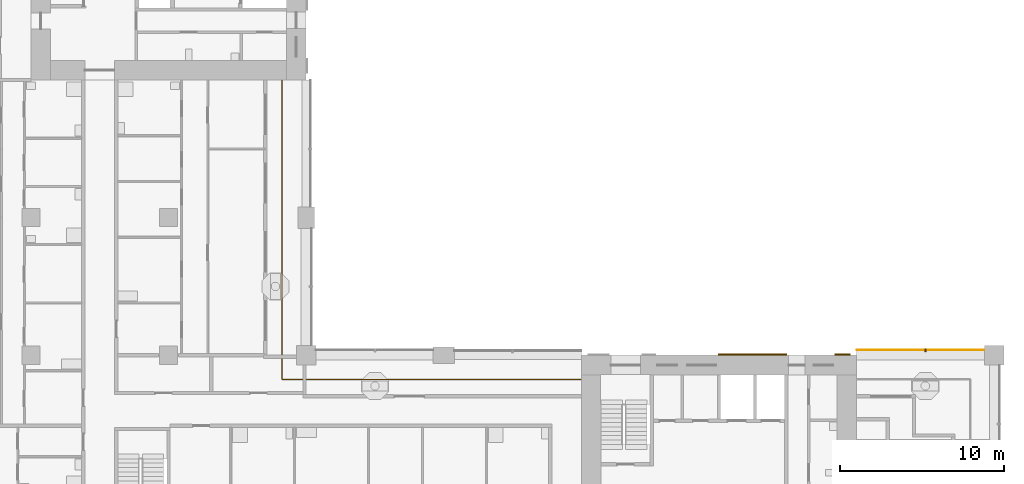
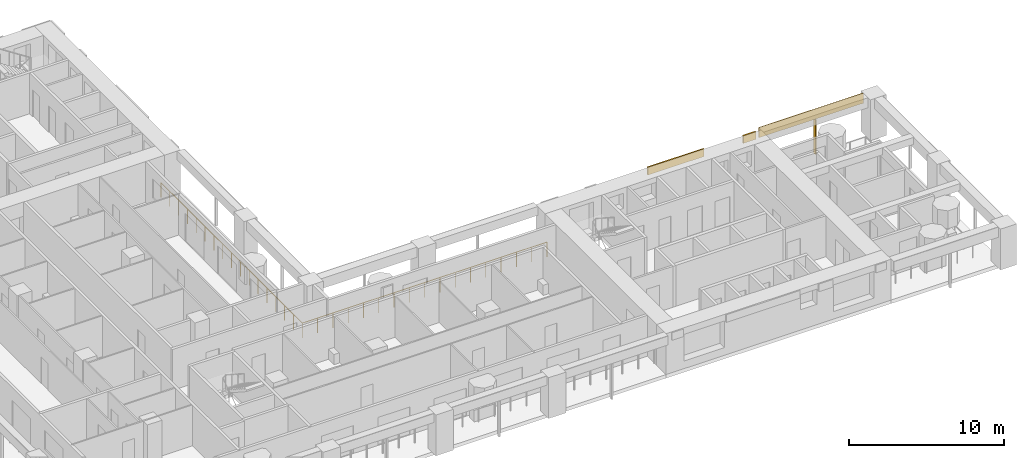
# One storey, part 13 of 18: 4 shading devices, 1 railing.
"""IFC4 building model written with IfcOpenShell, lengths in metres."""

from ifc_helpers import new_model, si_unit, direction, frame, origin, origin_2d, place, context, subcontext, project, spatial, rectangle, circle, extrude, material, layer, layer_set, material_profile, profile_set, type_object, element, save


model = new_model("IFC4")

# Units and contexts
model_context = context("Model", 3, precision=1e-05, world=origin(), true_north=direction((0.0, 1.0)))
body_context = subcontext(model_context, "Body", "Model", "MODEL_VIEW")
ifc_project = project(units=[si_unit("LENGTHUNIT", "METRE"), si_unit("AREAUNIT", "SQUARE_METRE"), si_unit("VOLUMEUNIT", "CUBIC_METRE"), si_unit("PLANEANGLEUNIT", "RADIAN"), si_unit("MASSUNIT", "GRAM", prefix="KILO")], contexts=[model_context])

# Site, building, storey
site_placement = place(None, origin())
site = spatial("IfcSite", under=ifc_project, at=site_placement, CompositionType="ELEMENT")
building_placement = place(site_placement, origin())
building = spatial("IfcBuilding", under=site, at=building_placement, Name="Vermilion Gate Residences", CompositionType="ELEMENT")
storey_placement = place(building_placement, frame((0.0, 0.0, 133.699951171875)))
storey = spatial("IfcBuildingStorey", under=building, at=storey_placement, Name="L34", CompositionType="ELEMENT", Elevation=133.699951171875)

# Railing
ifc_material_1 = material(Name="Stainless steel and toughened glass", Category="steel")
railing_type = type_object("IfcRailingType", Name="LOGGIA GUARD STEEL AND GLASS 1200", PredefinedType="GUARDRAIL", material=ifc_material_1)
railing_placement = place(storey_placement, frame((41.97802734375, 23.72509765625, 0.0)))
element("IfcRailing", 1, at=railing_placement, inside=storey, type_object=railing_type, Name="Loggia guard", PredefinedType="GUARDRAIL", context=body_context, shape_type="SweptSolid", body=[
    extrude(circle(Radius=0.030029296875, at=origin_2d()), frame((0.0, 0.0, 1.169921875), z_axis=(-1.0, 0.0, 0.0), x_axis=(0.0, -1.0, 0.0)), (0.0, 0.0, 1.0), 18.2529296875),
    extrude(circle(Radius=0.030029296875, at=origin_2d()), frame((-18.2529296875, 0.0, 1.169921875), z_axis=(0.0, 1.0, 0.0), x_axis=(-1.0, 0.0, 0.0)), (0.0, 0.0, 1.0), 18.2529296875),
    extrude(circle(Radius=0.02490234375, at=origin_2d()), origin(), (0.0, 0.0, 1.0), 1.139892578125),
    extrude(circle(Radius=0.02490234375, at=origin_2d()), frame((-1.140869140625, 0.0, 0.0)), (0.0, 0.0, 1.0), 1.139892578125),
    extrude(circle(Radius=0.02490234375, at=origin_2d()), frame((-2.28173828125, 0.0, 0.0)), (0.0, 0.0, 1.0), 1.139892578125),
    extrude(circle(Radius=0.02490234375, at=origin_2d()), frame((-3.42236328125, 0.0, 0.0)), (0.0, 0.0, 1.0), 1.139892578125),
    extrude(circle(Radius=0.02490234375, at=origin_2d()), frame((-4.563232421875, 0.0, 0.0)), (0.0, 0.0, 1.0), 1.139892578125),
    extrude(circle(Radius=0.02490234375, at=origin_2d()), frame((-5.7041015625, 0.0, 0.0)), (0.0, 0.0, 1.0), 1.139892578125),
    extrude(circle(Radius=0.02490234375, at=origin_2d()), frame((-6.8447265625, 0.0, 0.0)), (0.0, 0.0, 1.0), 1.139892578125),
    extrude(circle(Radius=0.02490234375, at=origin_2d()), frame((-7.985595703125, 0.0, 0.0)), (0.0, 0.0, 1.0), 1.139892578125),
    extrude(circle(Radius=0.02490234375, at=origin_2d()), frame((-9.12646484375, 0.0, 0.0)), (0.0, 0.0, 1.0), 1.139892578125),
    extrude(circle(Radius=0.02490234375, at=origin_2d()), frame((-10.267333984375, 0.0, 0.0)), (0.0, 0.0, 1.0), 1.139892578125),
    extrude(circle(Radius=0.02490234375, at=origin_2d()), frame((-11.408203125, 0.0, 0.0)), (0.0, 0.0, 1.0), 1.139892578125),
    extrude(circle(Radius=0.02490234375, at=origin_2d()), frame((-12.548828125, 0.0, 0.0)), (0.0, 0.0, 1.0), 1.139892578125),
    extrude(circle(Radius=0.02490234375, at=origin_2d()), frame((-13.689697265625, 0.0, 0.0)), (0.0, 0.0, 1.0), 1.139892578125),
    extrude(circle(Radius=0.02490234375, at=origin_2d()), frame((-14.83056640625, 0.0, 0.0)), (0.0, 0.0, 1.0), 1.139892578125),
    extrude(circle(Radius=0.02490234375, at=origin_2d()), frame((-15.97119140625, 0.0, 0.0)), (0.0, 0.0, 1.0), 1.139892578125),
    extrude(circle(Radius=0.02490234375, at=origin_2d()), frame((-17.112060546875, 0.0, 0.0)), (0.0, 0.0, 1.0), 1.139892578125),
    extrude(circle(Radius=0.02490234375, at=origin_2d()), frame((-18.2529296875, 0.0, 0.0)), (0.0, 0.0, 1.0), 1.139892578125),
    extrude(circle(Radius=0.02490234375, at=origin_2d()), frame((-18.2529296875, 1.140869140625, 0.0)), (0.0, 0.0, 1.0), 1.139892578125),
    extrude(circle(Radius=0.02490234375, at=origin_2d()), frame((-18.2529296875, 2.28173828125, 0.0)), (0.0, 0.0, 1.0), 1.139892578125),
    extrude(circle(Radius=0.02490234375, at=origin_2d()), frame((-18.2529296875, 3.42236328125, 0.0)), (0.0, 0.0, 1.0), 1.139892578125),
    extrude(circle(Radius=0.02490234375, at=origin_2d()), frame((-18.2529296875, 4.563232421875, 0.0)), (0.0, 0.0, 1.0), 1.139892578125),
    extrude(circle(Radius=0.02490234375, at=origin_2d()), frame((-18.2529296875, 5.7041015625, 0.0)), (0.0, 0.0, 1.0), 1.139892578125),
    extrude(circle(Radius=0.02490234375, at=origin_2d()), frame((-18.2529296875, 6.8447265625, 0.0)), (0.0, 0.0, 1.0), 1.139892578125),
    extrude(circle(Radius=0.02490234375, at=origin_2d()), frame((-18.2529296875, 7.985595703125, 0.0)), (0.0, 0.0, 1.0), 1.139892578125),
    extrude(circle(Radius=0.02490234375, at=origin_2d()), frame((-18.2529296875, 9.12646484375, 0.0)), (0.0, 0.0, 1.0), 1.139892578125),
    extrude(circle(Radius=0.02490234375, at=origin_2d()), frame((-18.2529296875, 10.267333984375, 0.0)), (0.0, 0.0, 1.0), 1.139892578125),
    extrude(circle(Radius=0.02490234375, at=origin_2d()), frame((-18.2529296875, 11.408203125, 0.0)), (0.0, 0.0, 1.0), 1.139892578125),
    extrude(circle(Radius=0.02490234375, at=origin_2d()), frame((-18.2529296875, 12.548828125, 0.0)), (0.0, 0.0, 1.0), 1.139892578125),
    extrude(circle(Radius=0.02490234375, at=origin_2d()), frame((-18.2529296875, 13.689697265625, 0.0)), (0.0, 0.0, 1.0), 1.139892578125),
    extrude(circle(Radius=0.02490234375, at=origin_2d()), frame((-18.2529296875, 14.83056640625, 0.0)), (0.0, 0.0, 1.0), 1.139892578125),
    extrude(circle(Radius=0.02490234375, at=origin_2d()), frame((-18.2529296875, 15.97119140625, 0.0)), (0.0, 0.0, 1.0), 1.139892578125),
    extrude(circle(Radius=0.02490234375, at=origin_2d()), frame((-18.2529296875, 17.112060546875, 0.0)), (0.0, 0.0, 1.0), 1.139892578125),
    extrude(circle(Radius=0.02490234375, at=origin_2d()), frame((-18.2529296875, 18.2529296875, 0.0)), (0.0, 0.0, 1.0), 1.139892578125),
])

# Shading devices
ifc_material_2 = material(Name="Perforated terracotta", Category="masonry")
ifc_layer_1 = layer(ifc_material_2, 0.0400390625)
ifc_layer_set_1 = layer_set([ifc_layer_1], Name="PERFORATED TERRACOTTA SCREEN 40")
shading_device_type_1 = type_object("IfcShadingDeviceType", Name="PERFORATED TERRACOTTA SCREEN 40", PredefinedType="SHUTTER", material=ifc_layer_set_1)
shading_device_1_placement = place(storey_placement, frame((62.699951171875, 25.52001953125, 2.419921875), z_axis=(0.0, 0.0, 1.0), x_axis=(-1.0, 0.0, 0.0)))
element("IfcShadingDevice", 2, at=shading_device_1_placement, inside=storey, type_object=shading_device_type_1, Name="SCREEN", PredefinedType="SHUTTER", context=body_context, shape_type="SweptSolid", body=[
    extrude(rectangle(XDim=7.800048828125, YDim=0.0400390625, at=origin_2d()), origin(), (0.0, 0.0, 1.0), 0.800048828125),
])
ifc_material_3 = material(Name="Extruded terracotta", Category="masonry")
ifc_material_profile = material_profile(ifc_material_3, rectangle(XDim=0.199951171875, YDim=0.10009765625, at=origin_2d()), Name="BAGUETTE 100 X 200")
ifc_profile_set = profile_set([ifc_material_profile], Name="Extruded terracotta")
shading_device_type_2 = type_object("IfcShadingDeviceType", Name="TERRACOTTA BAGUETTE 100 X 200", PredefinedType="JALOUSIE", material=ifc_profile_set)
shading_device_2_placement = place(storey_placement, frame((63.0, 25.5, -0.280029296875), z_axis=(0.0, 0.0, 1.0), x_axis=(0.0, -1.0, 0.0)))
element("IfcShadingDevice", 3, at=shading_device_2_placement, inside=storey, type_object=shading_device_type_2, Name="BAGUETTE", PredefinedType="JALOUSIE", context=body_context, shape_type="SweptSolid", body=[
    extrude(rectangle(XDim=0.199951171875, YDim=0.10009765625, at=origin_2d()), origin(), (0.0, 0.0, 1.0), 2.7001953125),
])
ifc_material_4 = material(Name="Extruded terracotta", Category="masonry")
ifc_layer_2 = layer(ifc_material_4, 0.10009765625)
ifc_layer_set_2 = layer_set([ifc_layer_2], Name="TERRACOTTA SPANDREL BAND 600 X 100")
shading_device_type_3 = type_object("IfcShadingDeviceType", Name="TERRACOTTA SPANDREL BAND 600 X 100", PredefinedType="USERDEFINED", material=ifc_layer_set_2)
shading_device_3_placement = place(storey_placement, frame((52.449951171875, 25.25, 2.6201171875), z_axis=(0.0, 0.0, 1.0), x_axis=(1.0, 0.0, 0.0)))
element("IfcShadingDevice", 4, at=shading_device_3_placement, inside=storey, type_object=shading_device_type_3, Name="SPANDREL BAND", ObjectType="BAND", PredefinedType="USERDEFINED", context=body_context, shape_type="SweptSolid", body=[
    extrude(rectangle(XDim=4.199951171875, YDim=0.10009765625, at=origin_2d()), origin(), (0.0, 0.0, 1.0), 0.60009765625),
])
shading_device_4_placement = place(storey_placement, frame((57.9375, 25.25, 2.6201171875), z_axis=(0.0, 0.0, 1.0), x_axis=(1.0, 0.0, 0.0)))
element("IfcShadingDevice", 5, at=shading_device_4_placement, inside=storey, type_object=shading_device_type_3, Name="SPANDREL BAND", ObjectType="BAND", PredefinedType="USERDEFINED", context=body_context, shape_type="SweptSolid", body=[
    extrude(rectangle(XDim=0.925048828125, YDim=0.10009765625, at=origin_2d()), origin(), (0.0, 0.0, 1.0), 0.60009765625),
])

save(model, "model.ifc")
